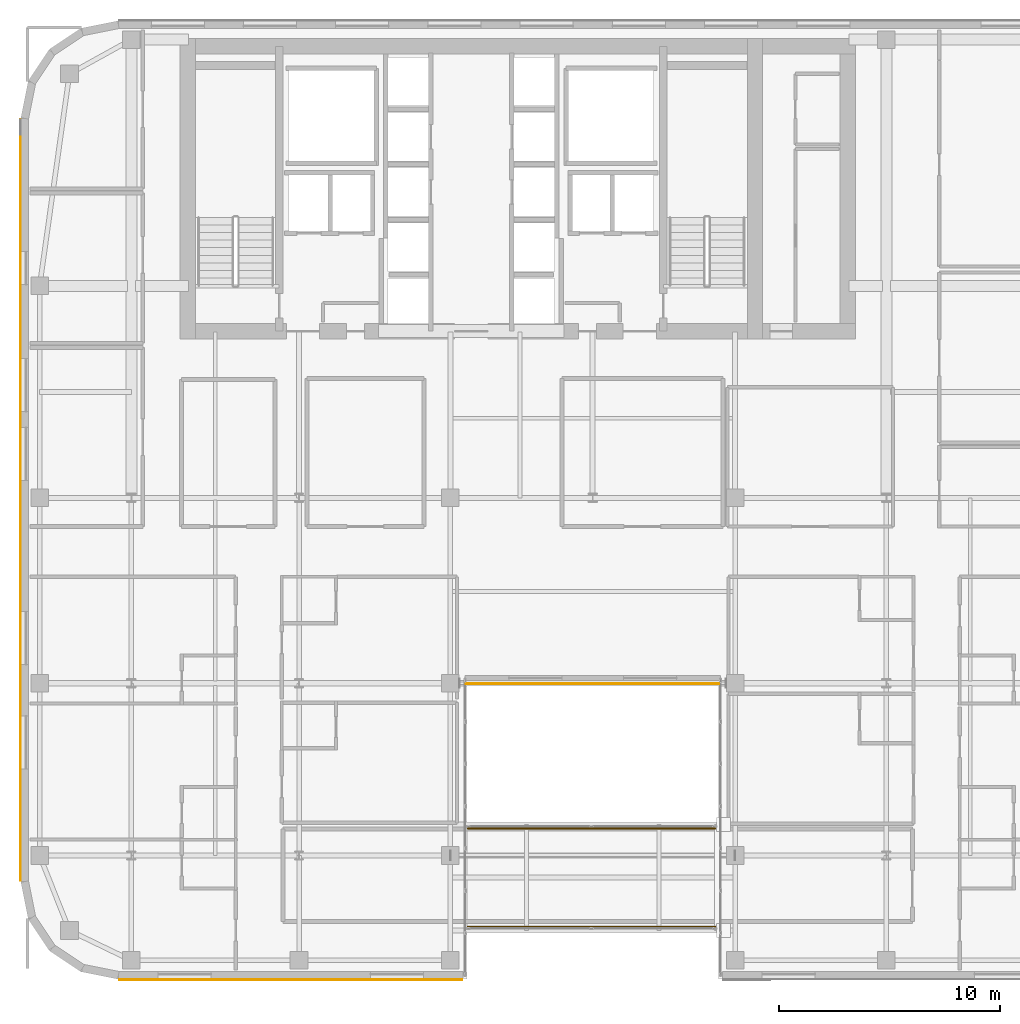
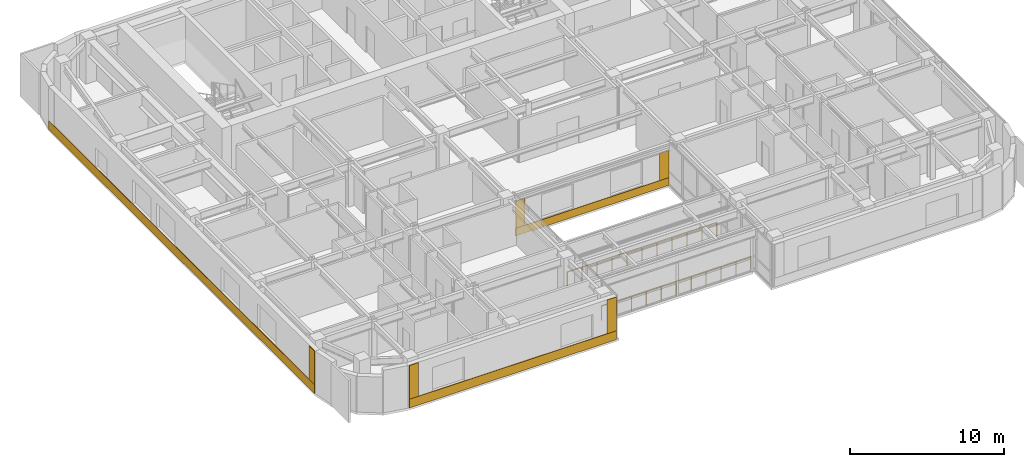
# One storey, part 22 of 26: 8 coverings, 2 railings.
"""IFC4 building model written with IfcOpenShell, lengths in metres."""

from ifc_helpers import new_model, si_unit, direction, frame, origin, origin_2d, place, context, subcontext, project, spatial, polyline, circle, outline, extrude, material, layer, layer_set, type_object, element, save


model = new_model("IFC4")

# Units and contexts
model_context = context("Model", 3, precision=1e-05, world=origin(), true_north=direction((0.0, 1.0)))
body_context = subcontext(model_context, "Body", "Model", "MODEL_VIEW")
ifc_project = project(units=[si_unit("LENGTHUNIT", "METRE"), si_unit("AREAUNIT", "SQUARE_METRE"), si_unit("VOLUMEUNIT", "CUBIC_METRE"), si_unit("PLANEANGLEUNIT", "RADIAN"), si_unit("MASSUNIT", "GRAM", prefix="KILO")], contexts=[model_context])

# Site, building, storey
site_placement = place(None, origin())
site = spatial("IfcSite", under=ifc_project, at=site_placement, CompositionType="ELEMENT")
building_placement = place(site_placement, origin())
building = spatial("IfcBuilding", under=site, at=building_placement, Name="Tolvann Quenvar Hotel", CompositionType="ELEMENT")
storey_placement = place(building_placement, frame((0.0, 0.0, 168.35009765625)))
storey = spatial("IfcBuildingStorey", under=building, at=storey_placement, Name="L44", CompositionType="ELEMENT", Elevation=168.35009765625)

# Coverings
ifc_material_1 = material(Name="Kiln-fired red architectural face brick cladding", Category="masonry")
ifc_layer_1 = layer(ifc_material_1, 0.0400390625)
ifc_layer_set_1 = layer_set([ifc_layer_1], Name="Kiln-fired red architectural face brick cladding")
covering_type_1 = type_object("IfcCoveringType", Name="COV_CLAD_BRICK_40", PredefinedType="CLADDING", material=ifc_layer_set_1)
covering_1_placement = place(storey_placement, frame((0.0, 0.0, 0.699951171875)))
element("IfcCovering", 1, at=covering_1_placement, inside=storey, type_object=covering_type_1, Name="Brick Pier Cladding (L44-E04-P1)", PredefinedType="CLADDING", context=body_context, shape_type="SweptSolid", body=[
    extrude(outline(polyline([(7.067138671875, 2.60009765625), (7.76708984375, 2.60009765625), (7.76708984375, 2.56005859375), (7.067138671875, 2.56005859375), (7.067138671875, 2.60009765625)])), origin(), (0.0, 0.0, 1.0), 2.669921875),
])
covering_2_placement = place(storey_placement, frame((0.0, 0.0, 0.699951171875)))
element("IfcCovering", 2, at=covering_2_placement, inside=storey, type_object=covering_type_1, Name="Brick Pier Cladding (L44-E04-P2)", PredefinedType="CLADDING", context=body_context, shape_type="SweptSolid", body=[
    extrude(outline(polyline([(21.875, 2.60009765625), (22.574951171875, 2.60009765625), (22.574951171875, 2.56005859375), (21.875, 2.56005859375), (21.875, 2.60009765625)])), origin(), (0.0, 0.0, 1.0), 2.669921875),
])
covering_3_placement = place(storey_placement, frame((0.0, 0.0, 0.606689453125)))
element("IfcCovering", 3, at=covering_3_placement, inside=storey, type_object=covering_type_1, Name="Brick Pier Cladding (L44-E06-P1)", PredefinedType="CLADDING", context=body_context, shape_type="SweptSolid", body=[
    extrude(outline(polyline([(22.760009765625, 16.0), (23.4599609375, 16.0), (23.4599609375, 15.9599609375), (22.760009765625, 15.9599609375), (22.760009765625, 16.0)])), origin(), (0.0, 0.0, 1.0), 2.151123046875),
])
covering_4_placement = place(storey_placement, frame((0.0, 0.0, 0.606689453125)))
element("IfcCovering", 4, at=covering_4_placement, inside=storey, type_object=covering_type_1, Name="Brick Pier Cladding (L44-E06-P2)", PredefinedType="CLADDING", context=body_context, shape_type="SweptSolid", body=[
    extrude(outline(polyline([(33.5400390625, 16.0), (34.239990234375, 16.0), (34.239990234375, 15.9599609375), (33.5400390625, 15.9599609375), (33.5400390625, 16.0)])), origin(), (0.0, 0.0, 1.0), 2.151123046875),
])
covering_5_placement = place(storey_placement, frame((0.0, 0.0, 0.699951171875)))
element("IfcCovering", 5, at=covering_5_placement, inside=storey, type_object=covering_type_1, Name="Brick Pier Cladding (L44-E23-P2)", PredefinedType="CLADDING", context=body_context, shape_type="SweptSolid", body=[
    extrude(outline(polyline([(2.60009765625, 7.76708984375), (2.60009765625, 7.067138671875), (2.56005859375, 7.067138671875), (2.56005859375, 7.76708984375), (2.60009765625, 7.76708984375)])), origin(), (0.0, 0.0, 1.0), 2.669921875),
])
ifc_material_2 = material(Name="Moulded buff architectural terracotta spandrel cladding", Category="masonry")
ifc_layer_2 = layer(ifc_material_2, 0.0400390625)
ifc_layer_set_2 = layer_set([ifc_layer_2], Name="Moulded buff architectural terracotta spandrel cladding")
covering_type_2 = type_object("IfcCoveringType", Name="COV_CLAD_TERRA_40", PredefinedType="CLADDING", material=ifc_layer_set_2)
covering_6_placement = place(storey_placement, origin())
element("IfcCovering", 6, at=covering_6_placement, inside=storey, type_object=covering_type_2, Name="Terracotta Spandrel Cladding (L44-E04)", PredefinedType="CLADDING", context=body_context, shape_type="SweptSolid", body=[
    extrude(outline(polyline([(7.05712890625, 2.60009765625), (22.5849609375, 2.60009765625), (22.5849609375, 2.56005859375), (7.05712890625, 2.56005859375), (7.05712890625, 2.60009765625)])), origin(), (0.0, 0.0, 1.0), 0.699951171875),
])
covering_7_placement = place(storey_placement, origin())
element("IfcCovering", 7, at=covering_7_placement, inside=storey, type_object=covering_type_2, Name="Terracotta Spandrel Cladding (L44-E06)", PredefinedType="CLADDING", context=body_context, shape_type="SweptSolid", body=[
    extrude(outline(polyline([(22.75, 16.0), (34.25, 16.0), (34.25, 15.9599609375), (22.75, 15.9599609375), (22.75, 16.0)])), origin(), (0.0, 0.0, 1.0), 0.606689453125),
])
covering_8_placement = place(storey_placement, origin())
element("IfcCovering", 8, at=covering_8_placement, inside=storey, type_object=covering_type_2, Name="Terracotta Spandrel Cladding (L44-E23)", PredefinedType="CLADDING", context=body_context, shape_type="SweptSolid", body=[
    extrude(outline(polyline([(2.60009765625, 41.542724609375), (2.60009765625, 7.05712890625), (2.56005859375, 7.05712890625), (2.56005859375, 41.542724609375), (2.60009765625, 41.542724609375)])), origin(), (0.0, 0.0, 1.0), 0.699951171875),
])

# Railings
ifc_material_3 = material(Name="Brushed 316 marine-grade stainless steel balustrade and laminated safety glass", Category="steel")
railing_type = type_object("IfcRailingType", Name="RAIL_BAL_1100", PredefinedType="BALUSTRADE", material=ifc_material_3)
for number, where, name in (
    (9, (22.840087890625, 4.97998046875, 0.0), "Safety Balustrade BAL-BRG-L44-S"),
    (10, (22.840087890625, 9.419921875, 0.0), "Safety Balustrade BAL-BRG-L44-N"),
):
    element("IfcRailing", number, at=place(storey_placement, frame(where)), inside=storey, type_object=railing_type, Name=name, PredefinedType="BALUSTRADE", context=body_context, shape_type="SweptSolid", body=[
        extrude(circle(Radius=0.02490234375, at=origin_2d()), frame((0.0, 0.0, 1.09521484375), z_axis=(1.0, 0.0, 0.0), x_axis=(0.0, 1.0, 0.0)), (0.0, 0.0, 1.0), 11.199951171875),
        extrude(circle(Radius=0.02197265625, at=origin_2d()), origin(), (0.0, 0.0, 1.0), 1.070068359375),
        extrude(circle(Radius=0.02197265625, at=origin_2d()), frame((1.1201171875, 0.0, 0.0)), (0.0, 0.0, 1.0), 1.070068359375),
        extrude(circle(Radius=0.02197265625, at=origin_2d()), frame((2.239990234375, 0.0, 0.0)), (0.0, 0.0, 1.0), 1.070068359375),
        extrude(circle(Radius=0.02197265625, at=origin_2d()), frame((3.35986328125, 0.0, 0.0)), (0.0, 0.0, 1.0), 1.070068359375),
        extrude(circle(Radius=0.02197265625, at=origin_2d()), frame((4.47998046875, 0.0, 0.0)), (0.0, 0.0, 1.0), 1.070068359375),
        extrude(circle(Radius=0.02197265625, at=origin_2d()), frame((5.60009765625, 0.0, 0.0)), (0.0, 0.0, 1.0), 1.070068359375),
        extrude(circle(Radius=0.02197265625, at=origin_2d()), frame((6.719970703125, 0.0, 0.0)), (0.0, 0.0, 1.0), 1.070068359375),
        extrude(circle(Radius=0.02197265625, at=origin_2d()), frame((7.83984375, 0.0, 0.0)), (0.0, 0.0, 1.0), 1.070068359375),
        extrude(circle(Radius=0.02197265625, at=origin_2d()), frame((8.9599609375, 0.0, 0.0)), (0.0, 0.0, 1.0), 1.070068359375),
        extrude(circle(Radius=0.02197265625, at=origin_2d()), frame((10.080078125, 0.0, 0.0)), (0.0, 0.0, 1.0), 1.070068359375),
        extrude(circle(Radius=0.02197265625, at=origin_2d()), frame((11.199951171875, 0.0, 0.0)), (0.0, 0.0, 1.0), 1.070068359375),
    ])

save(model, "model.ifc")
